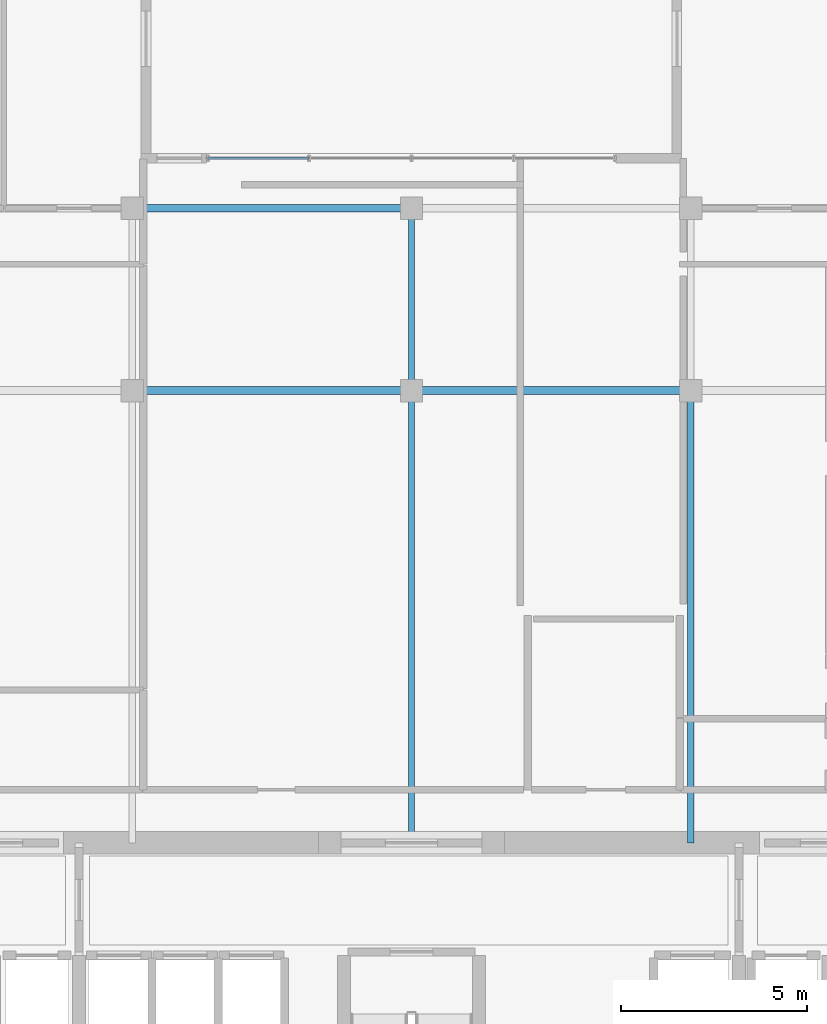
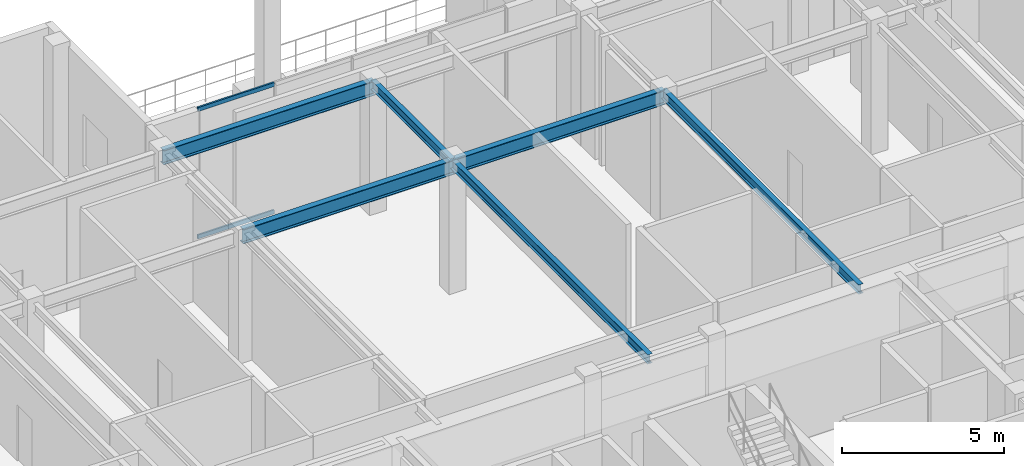
# One storey, part 3 of 12: 6 beams, 2 members, 1 element without a shape of its own.
"""IFC4 building model written with IfcOpenShell, lengths in metres."""

from ifc_helpers import new_model, si_unit, direction, frame, origin, origin_2d, place, context, subcontext, project, spatial, hollow_rectangle, i_section, extrude, material, material_profile, profile_set, type_object, element, aggregate, save


model = new_model("IFC4")

# Units and contexts
model_context = context("Model", 3, precision=1e-05, world=origin(), true_north=direction((0.0, 1.0)))
body_context = subcontext(model_context, "Body", "Model", "MODEL_VIEW")
ifc_project = project(units=[si_unit("LENGTHUNIT", "METRE"), si_unit("AREAUNIT", "SQUARE_METRE"), si_unit("VOLUMEUNIT", "CUBIC_METRE"), si_unit("PLANEANGLEUNIT", "RADIAN"), si_unit("MASSUNIT", "GRAM", prefix="KILO")], contexts=[model_context])

# Site, building, storey
site_placement = place(None, origin())
site = spatial("IfcSite", under=ifc_project, at=site_placement, CompositionType="ELEMENT")
building_placement = place(site_placement, origin())
building = spatial("IfcBuilding", under=site, at=building_placement, Name="Ventersveld Concourse Tower", CompositionType="ELEMENT")
storey_placement = place(building_placement, frame((0.0, 0.0, 251.699951171875)))
storey = spatial("IfcBuildingStorey", under=building, at=storey_placement, Name="L62", CompositionType="ELEMENT", Elevation=251.699951171875)

# Beams
ifc_material_1 = material(Name="Structural steel S355J2", Category="steel")
ifc_material_profile_1 = material_profile(ifc_material_1, i_section(OverallWidth=0.17138671875, OverallDepth=0.35498046875, WebThickness=0.00732421875, FlangeThickness=0.011474609375, FilletRadius=0.01025390625, at=origin_2d()), Name="UB 356x171x51")
ifc_profile_set_1 = profile_set([ifc_material_profile_1], Name="Structural steel S355J2")
beam_type_1 = type_object("IfcBeamType", Name="BM-UB356", PredefinedType="BEAM", material=ifc_profile_set_1)
beam_1_placement = place(storey_placement, frame((28.75, 11.449951171875, 4.672607421875), z_axis=(0.0, 1.0, 0.0), x_axis=(-1.0, 0.0, 0.0)))
element("IfcBeam", 1, at=beam_1_placement, inside=storey, type_object=beam_type_1, Name="L62 N-S Composite Floor Beam South X=28.75", PredefinedType="BEAM", context=body_context, shape_type="SweptSolid", body=[
    extrude(i_section(OverallWidth=0.17138671875, OverallDepth=0.35498046875, WebThickness=0.00732421875, FlangeThickness=0.011474609375, FilletRadius=0.01025390625, at=origin_2d()), origin(), (0.0, 0.0, 1.0), 12.150146484375),
])
beam_2_placement = place(storey_placement, frame((28.75, 23.60009765625, 4.672607421875), z_axis=(0.0, 1.0, 0.0), x_axis=(-1.0, 0.0, 0.0)))
element("IfcBeam", 2, at=beam_2_placement, inside=storey, type_object=beam_type_1, Name="L62 N-S Upper-Zone Floor Beam X=28.75", PredefinedType="BEAM", context=body_context, shape_type="SweptSolid", body=[
    extrude(i_section(OverallWidth=0.17138671875, OverallDepth=0.35498046875, WebThickness=0.00732421875, FlangeThickness=0.011474609375, FilletRadius=0.01025390625, at=origin_2d()), origin(), (0.0, 0.0, 1.0), 4.89990234375),
])
beam_3_placement = place(storey_placement, frame((36.25, 11.449951171875, 4.672607421875), z_axis=(0.0, 1.0, 0.0), x_axis=(-1.0, 0.0, 0.0)))
element("IfcBeam", 3, at=beam_3_placement, inside=storey, type_object=beam_type_1, Name="L62 N-S Composite Floor Beam South X=36.25", PredefinedType="BEAM", context=body_context, shape_type="SweptSolid", body=[
    extrude(i_section(OverallWidth=0.17138671875, OverallDepth=0.35498046875, WebThickness=0.00732421875, FlangeThickness=0.011474609375, FilletRadius=0.01025390625, at=origin_2d()), origin(), (0.0, 0.0, 1.0), 12.150146484375),
])

# Curtain wall, members
ifc_material_2 = material(Name="Anodised aluminium EN AW-6063-T6", Category="aluminium")
curtain_wall_type = type_object("IfcCurtainWallType", Name="CW-SG-4", PredefinedType="NOTDEFINED", material=ifc_material_2)
curtain_wall_placement = place(storey_placement, origin())
curtain_wall = element("IfcCurtainWall", 4, at=curtain_wall_placement, inside=storey, type_object=curtain_wall_type, Name="L62 L62 Sky Garden Recessed Curtain Wall", PredefinedType="NOTDEFINED")
ifc_material_profile_2 = material_profile(ifc_material_2, hollow_rectangle(XDim=0.06005859375, YDim=0.14990234375, WallThickness=0.00390625, at=origin_2d()), Name="ALU 150x60x4")
ifc_profile_set_2 = profile_set([ifc_material_profile_2], Name="Anodised aluminium EN AW-6063-T6")
member_type = type_object("IfcMemberType", Name="CWT-150x60", PredefinedType="USERDEFINED", material=ifc_profile_set_2)
member_1_placement = place(storey_placement, frame((23.27001953125, 29.841796875, 0.030029296875), z_axis=(1.0, 0.0, 0.0), x_axis=(0.0, 1.0, 0.0)))
member_1 = element("IfcMember", 5, at=member_1_placement, type_object=member_type, Name="CW-L62-SG Transom 1-01", ObjectType="TRANSOM", PredefinedType="USERDEFINED", context=body_context, shape_type="SweptSolid", body=[
    extrude(hollow_rectangle(XDim=0.06005859375, YDim=0.14990234375, WallThickness=0.00390625, at=origin_2d()), origin(), (0.0, 0.0, 1.0), 2.719970703125),
])
member_2_placement = place(storey_placement, frame((23.27001953125, 29.841796875, 4.820068359375), z_axis=(1.0, 0.0, 0.0), x_axis=(0.0, 1.0, 0.0)))
member_2 = element("IfcMember", 6, at=member_2_placement, type_object=member_type, Name="CW-L62-SG Transom 2-01", ObjectType="TRANSOM", PredefinedType="USERDEFINED", context=body_context, shape_type="SweptSolid", body=[
    extrude(hollow_rectangle(XDim=0.06005859375, YDim=0.14990234375, WallThickness=0.00390625, at=origin_2d()), origin(), (0.0, 0.0, 1.0), 2.719970703125),
])
aggregate(curtain_wall, [member_1, member_2])

# Beams
ifc_material_profile_3 = material_profile(ifc_material_1, i_section(OverallWidth=0.2119140625, OverallDepth=0.54443359375, WebThickness=0.0126953125, FlangeThickness=0.021240234375, FilletRadius=0.0126953125, at=origin_2d()), Name="UB 533x210x122")
ifc_profile_set_3 = profile_set([ifc_material_profile_3], Name="Structural steel S355J2")
beam_type_2 = type_object("IfcBeamType", Name="GRD-UB533H", PredefinedType="T_BEAM", material=ifc_profile_set_3)
for number, where, z_axis, x_axis, name in (
    (7, (21.25, 23.60009765625, 4.577880859375), (1.0, 0.0, 0.0), (0.0, 1.0, 0.0), "L62 Primary E-W Grid Girder Y=23.60 #3"),
    (8, (28.75, 23.60009765625, 4.577880859375), (1.0, 0.0, 0.0), (0.0, 1.0, 0.0), "L62 Primary E-W Grid Girder Y=23.60 #4"),
    (9, (21.25, 28.5, 4.577880859375), (1.0, 0.0, 0.0), (0.0, 1.0, 0.0), "L62 Upper-North E-W Girder Y=28.50 #2"),
):
    element("IfcBeam", number, at=place(storey_placement, frame(where, z_axis=z_axis, x_axis=x_axis)), inside=storey, type_object=beam_type_2, Name=name, PredefinedType="T_BEAM", context=body_context, shape_type="SweptSolid", body=[
        extrude(i_section(OverallWidth=0.2119140625, OverallDepth=0.54443359375, WebThickness=0.0126953125, FlangeThickness=0.021240234375, FilletRadius=0.0126953125, at=origin_2d()), origin(), (0.0, 0.0, 1.0), 7.5),
    ])

save(model, "model.ifc")
